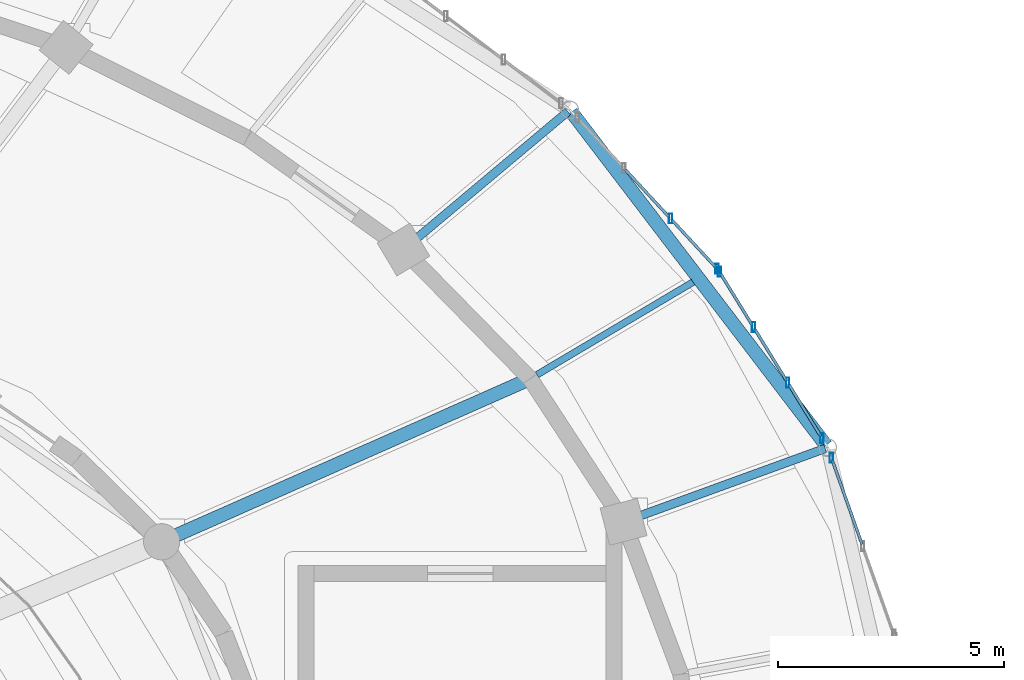
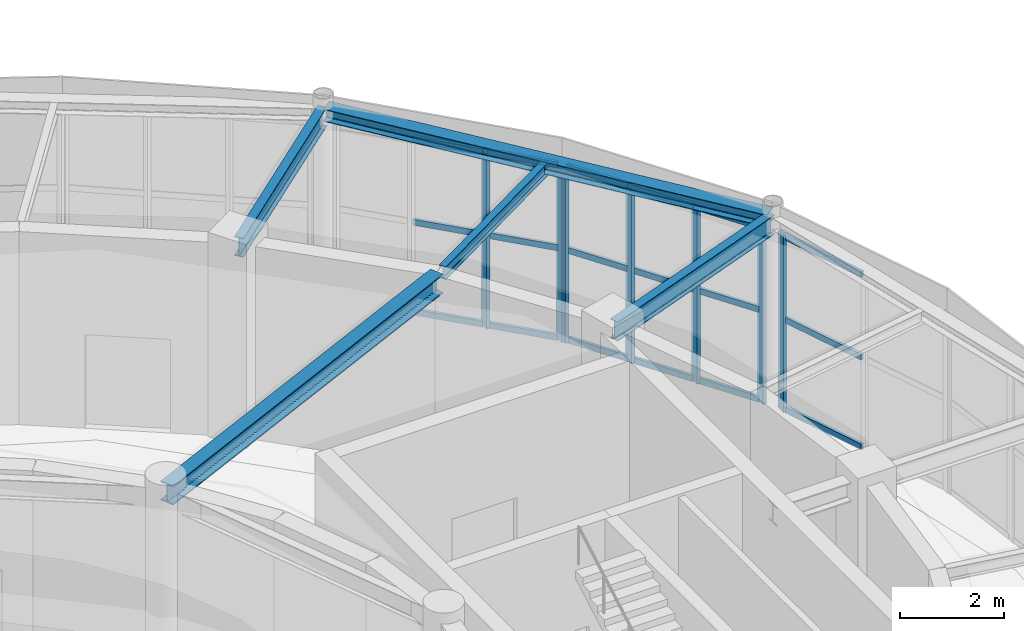
# One storey, part 42 of 100: 25 members, 5 beams, 3 elements without a shape of their own.
"""IFC4 building model written with IfcOpenShell, lengths in metres."""

from ifc_helpers import new_model, si_unit, direction, frame, origin, origin_2d, place, context, subcontext, project, spatial, hollow_rectangle, i_section, extrude, material, material_profile, profile_set, type_object, element, aggregate, save


model = new_model("IFC4")

# Units and contexts
model_context = context("Model", 3, precision=1e-05, world=origin(), true_north=direction((0.0, 1.0)))
body_context = subcontext(model_context, "Body", "Model", "MODEL_VIEW")
ifc_project = project(units=[si_unit("LENGTHUNIT", "METRE"), si_unit("AREAUNIT", "SQUARE_METRE"), si_unit("VOLUMEUNIT", "CUBIC_METRE"), si_unit("PLANEANGLEUNIT", "RADIAN"), si_unit("MASSUNIT", "GRAM", prefix="KILO")], contexts=[model_context])

# Site, building, storey
site_placement = place(None, origin())
site = spatial("IfcSite", under=ifc_project, at=site_placement, CompositionType="ELEMENT")
building_placement = place(site_placement, origin())
building = spatial("IfcBuilding", under=site, at=building_placement, Name="Tarnveldt Headland Concert Hall", CompositionType="ELEMENT")
storey_placement = place(building_placement, frame((0.0, 0.0, 4.800048828125)))
storey = spatial("IfcBuildingStorey", under=building, at=storey_placement, Name="L01", CompositionType="ELEMENT", Elevation=4.800048828125)

# Curtain wall, member
ifc_material_1 = material(Name="Marine-anodised aluminium EN AW-6063-T6", Category="aluminium")
curtain_wall_type = type_object("IfcCurtainWallType", Name="CW-F2", PredefinedType="NOTDEFINED", material=ifc_material_1)
curtain_wall_1_placement = place(storey_placement, origin())
curtain_wall_1 = element("IfcCurtainWall", 1, at=curtain_wall_1_placement, inside=storey, type_object=curtain_wall_type, Name="Curtain wall CW-L01-028", PredefinedType="NOTDEFINED")
ifc_material_profile_1 = material_profile(ifc_material_1, hollow_rectangle(XDim=0.074951171875, YDim=0.219970703125, WallThickness=0.0048828125, at=origin_2d()), Name="ALU MULLION 75x220x5", Category="aluminium")
ifc_profile_set_1 = profile_set([ifc_material_profile_1], Name="Marine-anodised aluminium EN AW-6063-T6")
member_type_1 = type_object("IfcMemberType", Name="ML-200", PredefinedType="MULLION", material=ifc_profile_set_1)
member_1_placement = place(storey_placement, frame((114.403076171875, 62.7529296875, 0.0), z_axis=(0.0, 0.0, 1.0), x_axis=(1.0, 0.0, 0.0)))
member_1 = element("IfcMember", 2, at=member_1_placement, type_object=member_type_1, Name="Mullion CW-L01-028-3", PredefinedType="MULLION", context=body_context, shape_type="SweptSolid", body=[
    extrude(hollow_rectangle(XDim=0.074951171875, YDim=0.219970703125, WallThickness=0.0048828125, at=origin_2d()), origin(), (0.0, 0.0, 1.0), 4.159912109375),
])

# Curtain wall, members
curtain_wall_2_placement = place(storey_placement, origin())
curtain_wall_2 = element("IfcCurtainWall", 3, at=curtain_wall_2_placement, inside=storey, type_object=curtain_wall_type, Name="Curtain wall CW-L01-029", PredefinedType="NOTDEFINED")
member_2_placement = place(storey_placement, frame((114.194091796875, 63.189208984375, 0.0), z_axis=(0.0, 0.0, 1.0), x_axis=(1.0, 0.0, 0.0)))
member_2 = element("IfcMember", 4, at=member_2_placement, type_object=member_type_1, Name="Mullion CW-L01-029-1", PredefinedType="MULLION", context=body_context, shape_type="SweptSolid", body=[
    extrude(hollow_rectangle(XDim=0.074951171875, YDim=0.219970703125, WallThickness=0.0048828125, at=origin_2d()), origin(), (0.0, 0.0, 1.0), 4.159912109375),
])
member_3_placement = place(storey_placement, frame((113.438232421875, 64.414794921875, 0.0), z_axis=(0.0, 0.0, 1.0), x_axis=(1.0, 0.0, 0.0)))
member_3 = element("IfcMember", 5, at=member_3_placement, type_object=member_type_1, Name="Mullion CW-L01-029-2", PredefinedType="MULLION", context=body_context, shape_type="SweptSolid", body=[
    extrude(hollow_rectangle(XDim=0.074951171875, YDim=0.219970703125, WallThickness=0.0048828125, at=origin_2d()), origin(), (0.0, 0.0, 1.0), 4.159912109375),
])
member_4_placement = place(storey_placement, frame((112.6826171875, 65.640380859375, 0.0), z_axis=(0.0, 0.0, 1.0), x_axis=(1.0, 0.0, 0.0)))
member_4 = element("IfcMember", 6, at=member_4_placement, type_object=member_type_1, Name="Mullion CW-L01-029-3", PredefinedType="MULLION", context=body_context, shape_type="SweptSolid", body=[
    extrude(hollow_rectangle(XDim=0.074951171875, YDim=0.219970703125, WallThickness=0.0048828125, at=origin_2d()), origin(), (0.0, 0.0, 1.0), 4.159912109375),
])
member_5_placement = place(storey_placement, frame((111.926513671875, 66.865966796875, 0.0), z_axis=(0.0, 0.0, 1.0), x_axis=(1.0, 0.0, 0.0)))
member_5 = element("IfcMember", 7, at=member_5_placement, type_object=member_type_1, Name="Mullion CW-L01-029-4", PredefinedType="MULLION", context=body_context, shape_type="SweptSolid", body=[
    extrude(hollow_rectangle(XDim=0.074951171875, YDim=0.219970703125, WallThickness=0.0048828125, at=origin_2d()), origin(), (0.0, 0.0, 1.0), 4.159912109375),
])

curtain_wall_3_placement = place(storey_placement, origin())
curtain_wall_3 = element("IfcCurtainWall", 8, at=curtain_wall_3_placement, inside=storey, type_object=curtain_wall_type, Name="Curtain wall CW-L01-030", PredefinedType="NOTDEFINED")
member_6_placement = place(storey_placement, frame((111.87841796875, 66.92919921875, 0.0), z_axis=(0.0, 0.0, 1.0), x_axis=(1.0, 0.0, 0.0)))
member_6 = element("IfcMember", 9, at=member_6_placement, type_object=member_type_1, Name="Mullion CW-L01-030-1", PredefinedType="MULLION", context=body_context, shape_type="SweptSolid", body=[
    extrude(hollow_rectangle(XDim=0.074951171875, YDim=0.219970703125, WallThickness=0.0048828125, at=origin_2d()), origin(), (0.0, 0.0, 1.0), 4.159912109375),
])
member_7_placement = place(storey_placement, frame((110.849365234375, 68.040283203125, 0.0), z_axis=(0.0, 0.0, 1.0), x_axis=(1.0, 0.0, 0.0)))
member_7 = element("IfcMember", 10, at=member_7_placement, type_object=member_type_1, Name="Mullion CW-L01-030-2", PredefinedType="MULLION", context=body_context, shape_type="SweptSolid", body=[
    extrude(hollow_rectangle(XDim=0.074951171875, YDim=0.219970703125, WallThickness=0.0048828125, at=origin_2d()), origin(), (0.0, 0.0, 1.0), 4.159912109375),
])

# Beams
ifc_material_2 = material(Name="Steel S355", Category="steel")
ifc_material_profile_2 = material_profile(ifc_material_2, i_section(OverallWidth=0.300048828125, OverallDepth=0.2900390625, WebThickness=0.008544921875, FlangeThickness=0.013916015625, FilletRadius=0.027099609375, at=origin_2d()), Name="HEA300", Category="steel")
ifc_profile_set_2 = profile_set([ifc_material_profile_2], Name="Steel S355")
beam_type_1 = type_object("IfcBeamType", Name="SB-HEA300", PredefinedType="SPANDREL", material=ifc_profile_set_2)
beam_1_placement = place(storey_placement, frame((114.285400390625, 63.02978515625, 4.39501953125), z_axis=(-0.606896353007, 0.794780986629, 0.0), x_axis=(-0.794780986629, -0.606896353007, 0.0)))
element("IfcBeam", 11, at=beam_1_placement, inside=storey, type_object=beam_type_1, Name="Framing beam L01-681", PredefinedType="SPANDREL", context=body_context, shape_type="SweptSolid", body=[
    extrude(i_section(OverallWidth=0.300048828125, OverallDepth=0.2900390625, WebThickness=0.008544921875, FlangeThickness=0.013916015625, FilletRadius=0.027099609375, at=origin_2d()), origin(), (0.0, 0.0, 1.0), 9.264892578125),
])
ifc_material_profile_3 = material_profile(ifc_material_2, i_section(OverallWidth=0.300048828125, OverallDepth=0.449951171875, WebThickness=0.013916015625, FlangeThickness=0.02587890625, FilletRadius=0.027099609375, at=origin_2d()), Name="HEB450", Category="steel")
ifc_profile_set_3 = profile_set([ifc_material_profile_3], Name="Steel S355")
beam_type_2 = type_object("IfcBeamType", Name="SB-HEB450", PredefinedType="BEAM", material=ifc_profile_set_3)
beam_2_placement = place(storey_placement, frame((99.644775390625, 60.916259765625, 4.31494140625), z_axis=(0.91456211397, 0.404445471839, 0.0), x_axis=(-0.404445471839, 0.91456211397, 0.0)))
element("IfcBeam", 12, at=beam_2_placement, inside=storey, type_object=beam_type_2, Name="Framing beam L01-734", PredefinedType="BEAM", context=body_context, shape_type="SweptSolid", body=[
    extrude(i_section(OverallWidth=0.300048828125, OverallDepth=0.449951171875, WebThickness=0.013916015625, FlangeThickness=0.02587890625, FilletRadius=0.027099609375, at=origin_2d()), origin(), (0.0, 0.0, 1.0), 8.821044921875),
])
ifc_material_profile_4 = material_profile(ifc_material_2, i_section(OverallWidth=0.14990234375, OverallDepth=0.300048828125, WebThickness=0.007080078125, FlangeThickness=0.0107421875, FilletRadius=0.014892578125, at=origin_2d()), Name="IPE300", Category="steel")
ifc_profile_set_4 = profile_set([ifc_material_profile_4], Name="Steel S355")
beam_type_3 = type_object("IfcBeamType", Name="SB-IPE300", PredefinedType="JOIST", material=ifc_profile_set_4)
beam_3_placement = place(storey_placement, frame((107.899169921875, 64.58935546875, 4.389892578125), z_axis=(0.859902377377, 0.510458520726, 0.0), x_axis=(-0.510458520726, 0.859902377377, 0.0)))
element("IfcBeam", 13, at=beam_3_placement, inside=storey, type_object=beam_type_3, Name="Framing beam L01-683", PredefinedType="JOIST", context=body_context, shape_type="SweptSolid", body=[
    extrude(i_section(OverallWidth=0.14990234375, OverallDepth=0.300048828125, WebThickness=0.007080078125, FlangeThickness=0.0107421875, FilletRadius=0.014892578125, at=origin_2d()), origin(), (0.0, 0.0, 1.0), 4.007568359375),
])
ifc_material_profile_5 = material_profile(ifc_material_2, i_section(OverallWidth=0.18994140625, OverallDepth=0.449951171875, WebThickness=0.009521484375, FlangeThickness=0.0146484375, FilletRadius=0.02099609375, at=origin_2d()), Name="IPE450", Category="steel")
ifc_profile_set_5 = profile_set([ifc_material_profile_5], Name="Steel S355")
beam_type_4 = type_object("IfcBeamType", Name="SB-IPE450", PredefinedType="BEAM", material=ifc_profile_set_5)
beam_4_placement = place(storey_placement, frame((109.84912109375, 61.35400390625, 4.31494140625), z_axis=(0.939673545823, 0.34207254681, 0.0), x_axis=(-0.34207254681, 0.939673545823, 0.0)))
element("IfcBeam", 14, at=beam_4_placement, inside=storey, type_object=beam_type_4, Name="Framing beam L01-682", PredefinedType="BEAM", context=body_context, shape_type="SweptSolid", body=[
    extrude(i_section(OverallWidth=0.18994140625, OverallDepth=0.449951171875, WebThickness=0.009521484375, FlangeThickness=0.0146484375, FilletRadius=0.02099609375, at=origin_2d()), origin(), (0.0, 0.0, 1.0), 4.69970703125),
])
beam_5_placement = place(storey_placement, frame((104.979736328125, 67.381591796875, 4.31494140625), z_axis=(0.76607107782, 0.642755866351, 0.0), x_axis=(-0.642755866351, 0.76607107782, 0.0)))
element("IfcBeam", 15, at=beam_5_placement, inside=storey, type_object=beam_type_4, Name="Framing beam L01-685", PredefinedType="BEAM", context=body_context, shape_type="SweptSolid", body=[
    extrude(i_section(OverallWidth=0.18994140625, OverallDepth=0.449951171875, WebThickness=0.009521484375, FlangeThickness=0.0146484375, FilletRadius=0.02099609375, at=origin_2d()), origin(), (0.0, 0.0, 1.0), 4.699951171875),
])

# Member
ifc_material_profile_6 = material_profile(ifc_material_1, hollow_rectangle(XDim=0.06494140625, YDim=0.139892578125, WallThickness=0.00390625, at=origin_2d()), Name="ALU TRANSOM 65x140x4", Category="aluminium")
ifc_profile_set_6 = profile_set([ifc_material_profile_6], Name="Marine-anodised aluminium EN AW-6063-T6")
member_type_2 = type_object("IfcMemberType", Name="TR-140", PredefinedType="MEMBER", material=ifc_profile_set_6)
member_8_placement = place(storey_placement, frame((115.0791015625, 60.84521484375, 0.050048828125), z_axis=(-0.333977607749, 0.942581008467, 0.0), x_axis=(-0.942581008467, -0.333977607749, 0.0)))
member_8 = element("IfcMember", 16, at=member_8_placement, type_object=member_type_2, Name="Transom CW-L01-028-2-1", PredefinedType="MEMBER", context=body_context, shape_type="SweptSolid", body=[
    extrude(hollow_rectangle(XDim=0.06494140625, YDim=0.139892578125, WallThickness=0.00390625, at=origin_2d()), origin(), (0.0, 0.0, 1.0), 1.974365234375),
])

member_9_placement = place(storey_placement, frame((115.0791015625, 60.84521484375, 2.1630859375), z_axis=(-0.333977607749, 0.942581008467, 0.0), x_axis=(-0.942581008467, -0.333977607749, 0.0)))
member_9 = element("IfcMember", 17, at=member_9_placement, type_object=member_type_2, Name="Transom CW-L01-028-2-2", PredefinedType="MEMBER", context=body_context, shape_type="SweptSolid", body=[
    extrude(hollow_rectangle(XDim=0.06494140625, YDim=0.139892578125, WallThickness=0.00390625, at=origin_2d()), origin(), (0.0, 0.0, 1.0), 1.974365234375),
])

member_10_placement = place(storey_placement, frame((115.0791015625, 60.84521484375, 4.10986328125), z_axis=(-0.333977607749, 0.942581008467, 0.0), x_axis=(-0.942581008467, -0.333977607749, 0.0)))
member_10 = element("IfcMember", 18, at=member_10_placement, type_object=member_type_2, Name="Transom CW-L01-028-2-3", PredefinedType="MEMBER", context=body_context, shape_type="SweptSolid", body=[
    extrude(hollow_rectangle(XDim=0.06494140625, YDim=0.139892578125, WallThickness=0.00390625, at=origin_2d()), origin(), (0.0, 0.0, 1.0), 1.974365234375),
])

aggregate(curtain_wall_1, [member_1, member_8, member_9, member_10])

member_11_placement = place(storey_placement, frame((114.168212890625, 63.231201171875, 0.050048828125), z_axis=(-0.524899695135, 0.85116409114, 0.0), x_axis=(-0.85116409114, -0.524899695135, 0.0)))
member_11 = element("IfcMember", 19, at=member_11_placement, type_object=member_type_2, Name="Transom CW-L01-029-1-1", PredefinedType="MEMBER", context=body_context, shape_type="SweptSolid", body=[
    extrude(hollow_rectangle(XDim=0.06494140625, YDim=0.139892578125, WallThickness=0.00390625, at=origin_2d()), origin(), (0.0, 0.0, 1.0), 1.3408203125),
])

member_12_placement = place(storey_placement, frame((114.168212890625, 63.231201171875, 2.1630859375), z_axis=(-0.524899695135, 0.85116409114, 0.0), x_axis=(-0.85116409114, -0.524899695135, 0.0)))
member_12 = element("IfcMember", 20, at=member_12_placement, type_object=member_type_2, Name="Transom CW-L01-029-1-2", PredefinedType="MEMBER", context=body_context, shape_type="SweptSolid", body=[
    extrude(hollow_rectangle(XDim=0.06494140625, YDim=0.139892578125, WallThickness=0.00390625, at=origin_2d()), origin(), (0.0, 0.0, 1.0), 1.3408203125),
])

member_13_placement = place(storey_placement, frame((114.168212890625, 63.231201171875, 4.10986328125), z_axis=(-0.524899695135, 0.85116409114, 0.0), x_axis=(-0.85116409114, -0.524899695135, 0.0)))
member_13 = element("IfcMember", 21, at=member_13_placement, type_object=member_type_2, Name="Transom CW-L01-029-1-3", PredefinedType="MEMBER", context=body_context, shape_type="SweptSolid", body=[
    extrude(hollow_rectangle(XDim=0.06494140625, YDim=0.139892578125, WallThickness=0.00390625, at=origin_2d()), origin(), (0.0, 0.0, 1.0), 1.3408203125),
])

member_14_placement = place(storey_placement, frame((113.412353515625, 64.456787109375, 0.050048828125), z_axis=(-0.524899695135, 0.85116409114, 0.0), x_axis=(-0.85116409114, -0.524899695135, 0.0)))
member_14 = element("IfcMember", 22, at=member_14_placement, type_object=member_type_2, Name="Transom CW-L01-029-2-1", PredefinedType="MEMBER", context=body_context, shape_type="SweptSolid", body=[
    extrude(hollow_rectangle(XDim=0.06494140625, YDim=0.139892578125, WallThickness=0.00390625, at=origin_2d()), origin(), (0.0, 0.0, 1.0), 1.3408203125),
])

member_15_placement = place(storey_placement, frame((113.412353515625, 64.456787109375, 2.1630859375), z_axis=(-0.524899695135, 0.85116409114, 0.0), x_axis=(-0.85116409114, -0.524899695135, 0.0)))
member_15 = element("IfcMember", 23, at=member_15_placement, type_object=member_type_2, Name="Transom CW-L01-029-2-2", PredefinedType="MEMBER", context=body_context, shape_type="SweptSolid", body=[
    extrude(hollow_rectangle(XDim=0.06494140625, YDim=0.139892578125, WallThickness=0.00390625, at=origin_2d()), origin(), (0.0, 0.0, 1.0), 1.3408203125),
])

member_16_placement = place(storey_placement, frame((113.412353515625, 64.456787109375, 4.10986328125), z_axis=(-0.524899695135, 0.85116409114, 0.0), x_axis=(-0.85116409114, -0.524899695135, 0.0)))
member_16 = element("IfcMember", 24, at=member_16_placement, type_object=member_type_2, Name="Transom CW-L01-029-2-3", PredefinedType="MEMBER", context=body_context, shape_type="SweptSolid", body=[
    extrude(hollow_rectangle(XDim=0.06494140625, YDim=0.139892578125, WallThickness=0.00390625, at=origin_2d()), origin(), (0.0, 0.0, 1.0), 1.3408203125),
])

member_17_placement = place(storey_placement, frame((112.656494140625, 65.6826171875, 0.050048828125), z_axis=(-0.524899695135, 0.85116409114, 0.0), x_axis=(-0.85116409114, -0.524899695135, 0.0)))
member_17 = element("IfcMember", 25, at=member_17_placement, type_object=member_type_2, Name="Transom CW-L01-029-3-1", PredefinedType="MEMBER", context=body_context, shape_type="SweptSolid", body=[
    extrude(hollow_rectangle(XDim=0.06494140625, YDim=0.139892578125, WallThickness=0.00390625, at=origin_2d()), origin(), (0.0, 0.0, 1.0), 1.3408203125),
])

member_18_placement = place(storey_placement, frame((112.656494140625, 65.6826171875, 2.1630859375), z_axis=(-0.524899695135, 0.85116409114, 0.0), x_axis=(-0.85116409114, -0.524899695135, 0.0)))
member_18 = element("IfcMember", 26, at=member_18_placement, type_object=member_type_2, Name="Transom CW-L01-029-3-2", PredefinedType="MEMBER", context=body_context, shape_type="SweptSolid", body=[
    extrude(hollow_rectangle(XDim=0.06494140625, YDim=0.139892578125, WallThickness=0.00390625, at=origin_2d()), origin(), (0.0, 0.0, 1.0), 1.3408203125),
])

member_19_placement = place(storey_placement, frame((112.656494140625, 65.6826171875, 4.10986328125), z_axis=(-0.524899695135, 0.85116409114, 0.0), x_axis=(-0.85116409114, -0.524899695135, 0.0)))
member_19 = element("IfcMember", 27, at=member_19_placement, type_object=member_type_2, Name="Transom CW-L01-029-3-3", PredefinedType="MEMBER", context=body_context, shape_type="SweptSolid", body=[
    extrude(hollow_rectangle(XDim=0.06494140625, YDim=0.139892578125, WallThickness=0.00390625, at=origin_2d()), origin(), (0.0, 0.0, 1.0), 1.3408203125),
])

aggregate(curtain_wall_2, [member_2, member_3, member_4, member_5, member_11, member_12, member_13, member_14, member_15, member_16, member_17, member_18, member_19])

member_20_placement = place(storey_placement, frame((111.8447265625, 66.965576171875, 0.050048828125), z_axis=(-0.679418349957, 0.733751119755, 0.0), x_axis=(-0.733751119755, -0.679418349957, 0.0)))
member_20 = element("IfcMember", 28, at=member_20_placement, type_object=member_type_2, Name="Transom CW-L01-030-1-1", PredefinedType="MEMBER", context=body_context, shape_type="SweptSolid", body=[
    extrude(hollow_rectangle(XDim=0.06494140625, YDim=0.139892578125, WallThickness=0.00390625, at=origin_2d()), origin(), (0.0, 0.0, 1.0), 1.41552734375),
])

member_21_placement = place(storey_placement, frame((111.8447265625, 66.965576171875, 2.1630859375), z_axis=(-0.679418349957, 0.733751119755, 0.0), x_axis=(-0.733751119755, -0.679418349957, 0.0)))
member_21 = element("IfcMember", 29, at=member_21_placement, type_object=member_type_2, Name="Transom CW-L01-030-1-2", PredefinedType="MEMBER", context=body_context, shape_type="SweptSolid", body=[
    extrude(hollow_rectangle(XDim=0.06494140625, YDim=0.139892578125, WallThickness=0.00390625, at=origin_2d()), origin(), (0.0, 0.0, 1.0), 1.41552734375),
])

member_22_placement = place(storey_placement, frame((111.8447265625, 66.965576171875, 4.10986328125), z_axis=(-0.679418349957, 0.733751119755, 0.0), x_axis=(-0.733751119755, -0.679418349957, 0.0)))
member_22 = element("IfcMember", 30, at=member_22_placement, type_object=member_type_2, Name="Transom CW-L01-030-1-3", PredefinedType="MEMBER", context=body_context, shape_type="SweptSolid", body=[
    extrude(hollow_rectangle(XDim=0.06494140625, YDim=0.139892578125, WallThickness=0.00390625, at=origin_2d()), origin(), (0.0, 0.0, 1.0), 1.41552734375),
])

member_23_placement = place(storey_placement, frame((110.81591796875, 68.076904296875, 0.050048828125), z_axis=(-0.679597183655, 0.733585487839, 0.0), x_axis=(-0.733585487839, -0.679597183655, 0.0)))
member_23 = element("IfcMember", 31, at=member_23_placement, type_object=member_type_2, Name="Transom CW-L01-030-2-1", PredefinedType="MEMBER", context=body_context, shape_type="SweptSolid", body=[
    extrude(hollow_rectangle(XDim=0.06494140625, YDim=0.139892578125, WallThickness=0.00390625, at=origin_2d()), origin(), (0.0, 0.0, 1.0), 1.41552734375),
])

member_24_placement = place(storey_placement, frame((110.81591796875, 68.076904296875, 2.1630859375), z_axis=(-0.679597183655, 0.733585487839, 0.0), x_axis=(-0.733585487839, -0.679597183655, 0.0)))
member_24 = element("IfcMember", 32, at=member_24_placement, type_object=member_type_2, Name="Transom CW-L01-030-2-2", PredefinedType="MEMBER", context=body_context, shape_type="SweptSolid", body=[
    extrude(hollow_rectangle(XDim=0.06494140625, YDim=0.139892578125, WallThickness=0.00390625, at=origin_2d()), origin(), (0.0, 0.0, 1.0), 1.41552734375),
])

member_25_placement = place(storey_placement, frame((110.81591796875, 68.076904296875, 4.10986328125), z_axis=(-0.679597183655, 0.733585487839, 0.0), x_axis=(-0.733585487839, -0.679597183655, 0.0)))
member_25 = element("IfcMember", 33, at=member_25_placement, type_object=member_type_2, Name="Transom CW-L01-030-2-3", PredefinedType="MEMBER", context=body_context, shape_type="SweptSolid", body=[
    extrude(hollow_rectangle(XDim=0.06494140625, YDim=0.139892578125, WallThickness=0.00390625, at=origin_2d()), origin(), (0.0, 0.0, 1.0), 1.41552734375),
])

aggregate(curtain_wall_3, [member_6, member_7, member_20, member_21, member_22, member_23, member_24, member_25])

save(model, "model.ifc")
